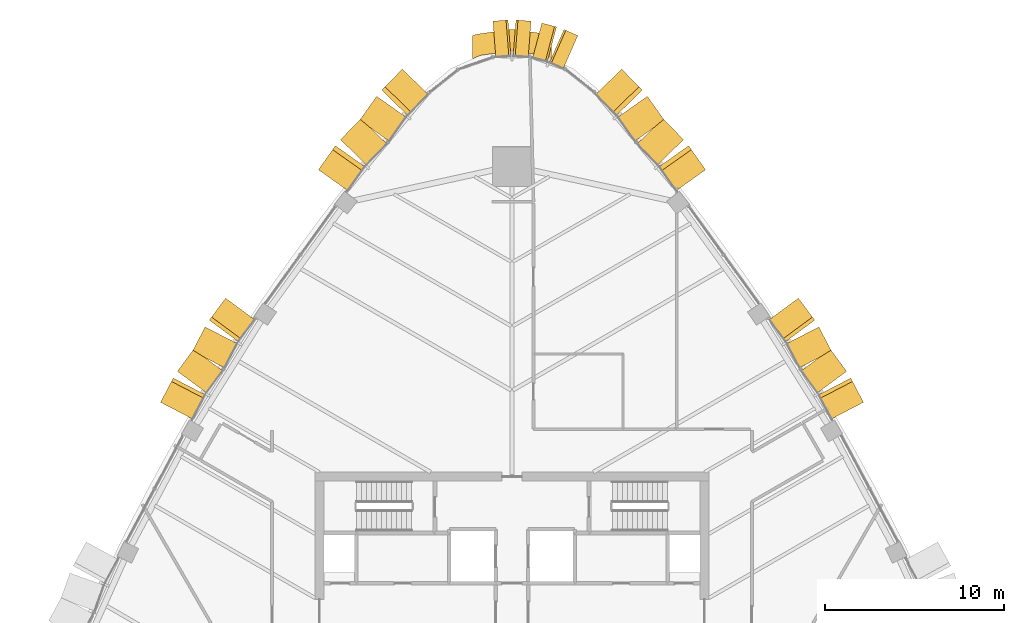
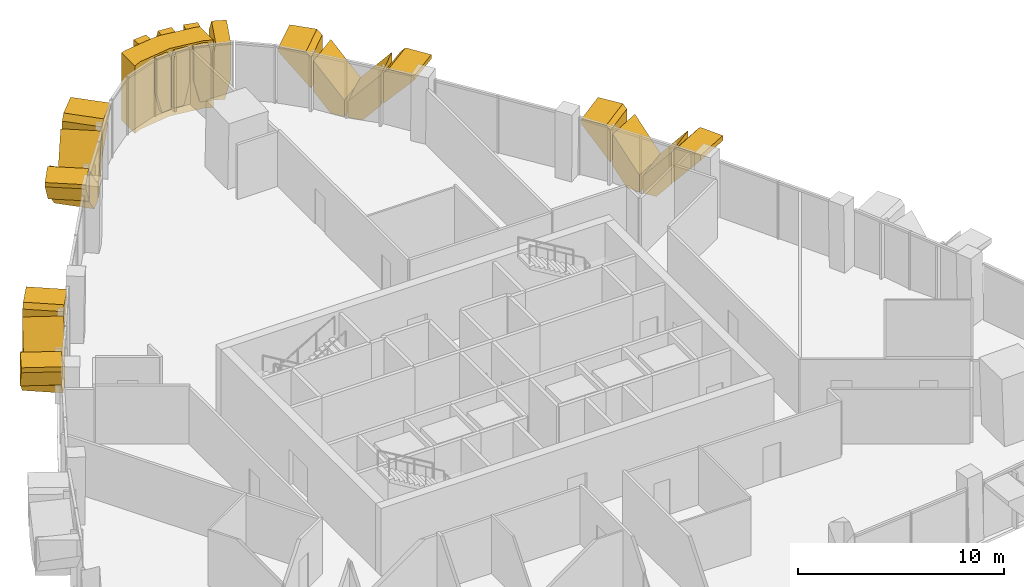
# One storey, part 17 of 18: 21 coverings.
"""IFC4 building model written with IfcOpenShell, lengths in metres."""

from ifc_helpers import new_model, si_unit, direction, frame, origin, place, context, subcontext, project, spatial, polyline, outline, extrude, material, layer, layer_set, type_object, element, save


model = new_model("IFC4")

# Units and contexts
model_context = context("Model", 3, precision=1e-05, world=origin(), true_north=direction((0.0, 1.0)))
body_context = subcontext(model_context, "Body", "Model", "MODEL_VIEW")
ifc_project = project(units=[si_unit("LENGTHUNIT", "METRE"), si_unit("AREAUNIT", "SQUARE_METRE"), si_unit("VOLUMEUNIT", "CUBIC_METRE"), si_unit("PLANEANGLEUNIT", "RADIAN"), si_unit("MASSUNIT", "GRAM", prefix="KILO")], contexts=[model_context])

# Site, building, storey
site_placement = place(None, origin())
site = spatial("IfcSite", under=ifc_project, at=site_placement, CompositionType="ELEMENT")
building_placement = place(site_placement, origin())
building = spatial("IfcBuilding", under=site, at=building_placement, Name="Sierra Prisma Convention Tower", CompositionType="ELEMENT")
storey_placement = place(building_placement, frame((0.0, 0.0, 251.0)))
storey = spatial("IfcBuildingStorey", under=building, at=storey_placement, Name="L56", CompositionType="ELEMENT", Elevation=251.0)

# Coverings
ifc_material_1 = material(Name="Aluminium composite bronze anodised", Category="aluminium")
ifc_layer_1 = layer(ifc_material_1, 1.199951171875)
ifc_layer_set_1 = layer_set([ifc_layer_1], Name="Bronze corner pier")
covering_type_1 = type_object("IfcCoveringType", Name="Bronze corner pier", PredefinedType="CLADDING", material=ifc_layer_set_1)
covering_1_placement = place(storey_placement, frame((0.0, 0.0, -0.60009765625)))
element("IfcCovering", 1, at=covering_1_placement, inside=storey, type_object=covering_type_1, Name="Corner pier N L56.1", PredefinedType="CLADDING", context=body_context, shape_type="SweptSolid", body=[
    extrude(outline(polyline([(-1.94873046875, 32.462158203125), (-0.16796875, 32.7138671875), (0.16796875, 32.7138671875), (1.94873046875, 32.462158203125), (2.199951171875, 32.389892578125), (2.199951171875, 31.086181640625), (1.78076171875, 31.27392578125), (0.0, 31.525634765625), (-1.78076171875, 31.27392578125), (-2.199951171875, 31.086181640625), (-2.199951171875, 32.389892578125), (-1.94873046875, 32.462158203125)])), origin(), (0.0, 0.0, 1.0), 4.0),
])
ifc_material_2 = material(Name="Aluminium 6063-T6 bronze anodised", Category="aluminium")
ifc_layer_2 = layer(ifc_material_2, 2.0)
ifc_layer_set_2 = layer_set([ifc_layer_2], Name="Bronze crystal chevron frame")
covering_type_2 = type_object("IfcCoveringType", Name="Bronze crystal chevron frame", PredefinedType="CLADDING", material=ifc_layer_set_2)
covering_2_placement = place(storey_placement, frame((19.62744140625, 11.898681640625, 3.280029296875), z_axis=(0.887324747705, 0.461145087809, -9.970349e-06), x_axis=(-8.846937e-06, -4.597777e-06, -0.99999999995)))
element("IfcCovering", 2, at=covering_2_placement, inside=storey, type_object=covering_type_2, Name="CW-2 chevron frame NE4.1.1", PredefinedType="CLADDING", context=body_context, shape_type="SweptSolid", body=[
    extrude(outline(polyline([(0.0, 0.0), (0.29418945311037764, 2.491881595315996e-22), (2.143066406169328, 1.5289674406498677), (0.2600097656379235, 1.5289674406498677), (-2.1643535514569113e-10, 1.3140686287231047), (0.0, 0.0)])), origin(), (0.0, 0.0, -1.0), 2.0),
])
covering_3_placement = place(storey_placement, frame((18.687744140625, 13.631591796875, 2.863037109375), z_axis=(0.804231335616, 0.594316376805, 5.5445642e-05), x_axis=(4.4591123e-05, 3.2952253e-05, -0.999999998463)))
element("IfcCovering", 3, at=covering_3_placement, inside=storey, type_object=covering_type_2, Name="CW-2 chevron frame NE4.1.2", PredefinedType="CLADDING", context=body_context, shape_type="SweptSolid", body=[
    extrude(outline(polyline([(0.0, 0.0), (1.8830566377305356, 0.0), (2.863037116893553, 0.8103734292619774), (2.863037107986873, 1.5290426761704847), (1.8488769532957483, 1.5290426761704847), (0.0, 0.0)])), origin(), (0.0, 0.0, -1.0), 2.0),
])
covering_4_placement = place(storey_placement, frame((17.844970703125, 14.755859375, 0.0), z_axis=(0.887332911213, 0.46112937855, 3.0266812e-05), x_axis=(-0.461129378761, 0.88733291162, -3.693e-09)))
element("IfcCovering", 4, at=covering_4_placement, inside=storey, type_object=covering_type_2, Name="CW-2 chevron frame NE4.2.1", PredefinedType="CLADDING", context=body_context, shape_type="SweptSolid", body=[
    extrude(outline(polyline([(0.0, 0.0), (0.718619661164388, 0.0), (1.5289674367449981, 0.9799804748458145), (1.5289674297902944, 2.863037114608299), (-3.745603449153797e-09, 1.0141601557854742), (0.0, 0.0)])), origin(), (0.0, 0.0, -1.0), 2.0),
])
covering_5_placement = place(storey_placement, frame((15.996826171875, 17.71826171875, 3.280029296875), z_axis=(0.80427133255, 0.594262251477, -1.0394383e-05), x_axis=(0.594262251509, -0.804271332594, 1.79e-10)))
element("IfcCovering", 5, at=covering_5_placement, inside=storey, type_object=covering_type_2, Name="CW-2 chevron frame NE4.2.2", PredefinedType="CLADDING", context=body_context, shape_type="SweptSolid", body=[
    extrude(outline(polyline([(0.0, 0.0), (1.313802980417413, 0.0), (1.5287012374546682, 0.2600097659127603), (1.5287012371175066, 2.1430664064360347), (-5.267466416672044e-11, 0.2941894531091074), (0.0, 0.0)])), origin(), (0.0, 0.0, -1.0), 2.0),
])
covering_6_placement = place(storey_placement, frame((10.813232421875, 24.886474609375, 3.280029296875), z_axis=(0.816196090768, 0.577774991575, -2.2937219e-05), x_axis=(-1.8721269e-05, -1.3252552e-05, -0.999999999737)))
element("IfcCovering", 6, at=covering_6_placement, inside=storey, type_object=covering_type_2, Name="CW-2 chevron frame NE6.1.1", PredefinedType="CLADDING", context=body_context, shape_type="SweptSolid", body=[
    extrude(outline(polyline([(0.0, 0.0), (0.2531738280584006, 0.0), (2.1120605464777795, 1.6445669863336019), (0.3010253907041871, 1.6445669863336019), (-1.0860134443838265e-09, 1.3780126072210508), (0.0, 0.0)])), origin(), (0.0, 0.0, -1.0), 2.0),
])
covering_7_placement = place(storey_placement, frame((9.579345703125, 26.5693359375, 2.83203125), z_axis=(0.71574312303, 0.698363645687, -1.480018e-05), x_axis=(-1.0593127e-05, -1.0335908e-05, -0.99999999989)))
element("IfcCovering", 7, at=covering_7_placement, inside=storey, type_object=covering_type_2, Name="CW-2 chevron frame NE6.1.2", PredefinedType="CLADDING", context=body_context, shape_type="SweptSolid", body=[
    extrude(outline(polyline([(0.0, 0.0), (1.8110351560516507, 1.5340064459795898e-21), (2.8320312505233347, 0.9036312396022581), (2.8320312499134728, 1.6448032941753963), (1.8588867187700544, 1.6448032941753963), (0.0, 0.0)])), origin(), (0.0, 0.0, -1.0), 2.0),
])
covering_8_placement = place(storey_placement, frame((8.08203125, 28.256103515625, 0.0), z_axis=(0.816179660534, 0.577798201285, 1.7960208e-05), x_axis=(-0.382968440768, 0.540945960973, 0.748807479051)))
element("IfcCovering", 8, at=covering_8_placement, inside=storey, type_object=covering_type_2, Name="CW-2 chevron frame NE6.2.1", PredefinedType="CLADDING", context=body_context, shape_type="SweptSolid", body=[
    extrude(outline(polyline([(0.0, 0.0), (1.3634961231185292, -1.1102230246251565e-16), (2.7196127929426823, 1.2003315849966343), (0.23744039919397203, 1.2000034772321233), (-0.4912575040035306, 0.5550153810071861), (0.0, 0.0)])), origin(), (0.0, 0.0, -1.0), 2.0),
])
covering_9_placement = place(storey_placement, frame((6.12744140625, 30.511474609375, 3.280029296875), z_axis=(0.715736225286, 0.698370715164, -3.770115e-06), x_axis=(0.698370715169, -0.715736225291, 2.1e-11)))
element("IfcCovering", 9, at=covering_9_placement, inside=storey, type_object=covering_type_2, Name="CW-2 chevron frame NE6.2.2", PredefinedType="CLADDING", context=body_context, shape_type="SweptSolid", body=[
    extrude(outline(polyline([(0.0, 0.0), (1.3784096231234853, 8.470329472543003e-22), (1.6448032942380097, 0.30102539066214984), (1.644803294199461, 2.112060546899279), (-5.3889406775384495e-12, 0.2531738281232007), (0.0, 0.0)])), origin(), (0.0, 0.0, -1.0), 2.0),
])
covering_10_placement = place(storey_placement, frame((3.676513671875, 32.380859375, 3.280029296875), z_axis=(0.403720348836, 0.914882440223, 2.2498191e-05), x_axis=(9.082977e-06, 2.05832e-05, -0.999999999747)))
element("IfcCovering", 10, at=covering_10_placement, inside=storey, type_object=covering_type_2, Name="CW-2 chevron frame N2.1.1", PredefinedType="CLADDING", context=body_context, shape_type="SweptSolid", body=[
    extrude(outline(polyline([(0.0, 0.0), (2.0771484369743063, -3.51882632580058e-21), (3.2800292988705286, 0.2911938356261742), (3.2800292965995395, 0.8435383986932616), (0.4621582035626981, 0.8435383986932616), (3.6011172263924064e-11, 0.731716131333817), (0.0, 0.0)])), origin(), (0.0, 0.0, -1.0), 2.0),
])
covering_11_placement = place(storey_placement, frame((1.9521484375, 33.009033203125, 0.0), z_axis=(0.255582989102, 0.966787120144, -2.462667e-06), x_axis=(-0.227456360408, 0.06013357937, 0.971929810605)))
element("IfcCovering", 11, at=covering_11_placement, inside=storey, type_object=covering_type_2, Name="CW-2 chevron frame N2.1.2", PredefinedType="CLADDING", context=body_context, shape_type="SweptSolid", body=[
    extrude(outline(polyline([(0.0, 0.0), (1.237621118678627, 0.0), (3.256463606135796, 0.4886927892042976), (3.0843436359454186, 1.1997389029752044), (2.6088402355738998, 1.1997292409616338), (-0.1299326828829223, 0.5367658919964243), (0.0, 0.0)])), origin(), (0.0, 0.0, -1.0), 2.0),
])
covering_12_placement = place(storey_placement, frame((1.062744140625, 33.186767578125, 3.280029296875), z_axis=(0.078451637479, 0.996917920495, -1.9289451e-05), x_axis=(-1.513289e-06, -1.9229999e-05, -0.999999999814)))
element("IfcCovering", 12, at=covering_12_placement, inside=storey, type_object=covering_type_2, Name="CW-2 chevron frame N3.1.1", PredefinedType="CLADDING", context=body_context, shape_type="SweptSolid", body=[
    extrude(outline(polyline([(0.0, 0.0), (2.0771484371135642, 0.0), (3.2800292989285236, 0.29116977782626996), (3.280029296741056, 0.8436627515884269), (0.4621582035152968, 0.8436627515884269), (6.488596068935343e-10, 0.7317448441907449), (0.0, 0.0)])), origin(), (0.0, 0.0, -1.0), 2.0),
])
covering_13_placement = place(storey_placement, frame((-0.2216796875, 33.2529296875, 0.0), z_axis=(-0.078451637479, 0.996917920495, -1.9289451e-05), x_axis=(-0.996917920681, -0.078451637494, -3.959e-09)))
element("IfcCovering", 13, at=covering_13_placement, inside=storey, type_object=covering_type_2, Name="CW-2 chevron frame N3.1.2", PredefinedType="CLADDING", context=body_context, shape_type="SweptSolid", body=[
    extrude(outline(polyline([(0.0, 0.0), (0.5524929737621569, 1.0587911840678754e-22), (0.8436627468258996, 1.2028808629677785), (0.8436627386019131, 3.280029300081343), (0.11191789441116823, 3.28002929653531), (-1.1156705689109318e-08, 2.81787109322576), (0.0, 0.0)])), origin(), (0.0, 0.0, -1.0), 2.0),
])
covering_14_placement = place(storey_placement, frame((-6.12744140625, 30.511474609375, 3.280029296875), z_axis=(-0.715736225286, 0.698370715164, -3.770115e-06), x_axis=(2.698408e-06, -2.632938e-06, -0.999999999993)))
element("IfcCovering", 14, at=covering_14_placement, inside=storey, type_object=covering_type_2, Name="CW-2 chevron frame NW1.1.1", PredefinedType="CLADDING", context=body_context, shape_type="SweptSolid", body=[
    extrude(outline(polyline([(0.0, 0.0), (0.2531738281232007, 5.361164345109311e-23), (2.1120605468642686, 1.6448032942444173), (0.30102539062713934, 1.6448032942444173), (-2.93401878995643e-11, 1.3784096231234853), (0.0, 0.0)])), origin(), (0.0, 0.0, -1.0), 2.0),
])
covering_15_placement = place(storey_placement, frame((-7.559814453125, 28.99365234375, 2.83203125), z_axis=(-0.816179660534, 0.577798201285, 1.7960208e-05), x_axis=(-1.4658756e-05, 1.0377376e-05, -0.999999999839)))
element("IfcCovering", 15, at=covering_15_placement, inside=storey, type_object=covering_type_2, Name="CW-2 chevron frame NW1.1.2", PredefinedType="CLADDING", context=body_context, shape_type="SweptSolid", body=[
    extrude(outline(polyline([(0.0, 0.0), (1.811035155957908, 0.0), (2.832031250770669, 0.9037082782271895), (2.832031249872579, 1.6449073124914895), (1.858886718779532, 1.6449073124914895), (0.0, 0.0)])), origin(), (0.0, 0.0, -1.0), 2.0),
])
covering_16_placement = place(storey_placement, frame((-8.9482421875, 27.216064453125, 0.0), z_axis=(-0.71574312303, 0.698363645687, -1.480018e-05), x_axis=(-0.462852548439, -0.474355226919, 0.748835520724)))
element("IfcCovering", 16, at=covering_16_placement, inside=storey, type_object=covering_type_2, Name="CW-2 chevron frame NW1.2.1", PredefinedType="CLADDING", context=body_context, shape_type="SweptSolid", body=[
    extrude(outline(polyline([(0.0, 0.0), (1.3634450638406908, 0.0), (2.71961251812083, 1.2002742071736576), (0.23750905146988344, 1.1999732266310588), (-0.49121614032853067, 0.5550159618974109), (0.0, 0.0)])), origin(), (0.0, 0.0, -1.0), 2.0),
])
covering_17_placement = place(storey_placement, frame((-10.813232421875, 24.886474609375, 3.280029296875), z_axis=(-0.816196090768, 0.577774991575, -2.2937219e-05), x_axis=(0.577774991727, 0.816196090983, 7.88e-10)))
element("IfcCovering", 17, at=covering_17_placement, inside=storey, type_object=covering_type_2, Name="CW-2 chevron frame NW1.2.2", PredefinedType="CLADDING", context=body_context, shape_type="SweptSolid", body=[
    extrude(outline(polyline([(0.0, 0.0), (1.3780126072210508, 5.082197683525802e-21), (1.6445669860963632, 0.30102539200027245), (1.644566984669084, 2.112060547773866), (-1.9952660780991153e-10, 0.25317382805840066), (0.0, 0.0)])), origin(), (0.0, 0.0, -1.0), 2.0),
])
covering_18_placement = place(storey_placement, frame((-15.996826171875, 17.718017578125, 3.280029296875), z_axis=(-0.804271333552, 0.594262250121, -1.0394234e-05), x_axis=(8.359784e-06, -6.176901e-06, -0.999999999946)))
element("IfcCovering", 18, at=covering_18_placement, inside=storey, type_object=covering_type_2, Name="CW-2 chevron frame NW3.1.1", PredefinedType="CLADDING", context=body_context, shape_type="SweptSolid", body=[
    extrude(outline(polyline([(0.0, 0.0), (0.2941894531091079, 2.491881595315996e-22), (2.143066406162297, 1.5287012375012277), (0.25976562501403255, 1.5287012375012277), (-2.3525626511581075e-10, 1.3138029804173748), (0.0, 0.0)])), origin(), (0.0, 0.0, -1.0), 2.0),
])
covering_19_placement = place(storey_placement, frame((-17.14013671875, 16.1123046875, 2.863037109375), z_axis=(-0.887350084218, 0.461096332365, -1.7824442e-05), x_axis=(1.581652e-05, -8.218785e-06, -0.999999999841)))
element("IfcCovering", 19, at=covering_19_placement, inside=storey, type_object=covering_type_2, Name="CW-2 chevron frame NW3.1.2", PredefinedType="CLADDING", context=body_context, shape_type="SweptSolid", body=[
    extrude(outline(polyline([(0.0, 0.0), (1.8833007809508275, 1.5952178113085139e-21), (2.8630371101520184, 0.8102352019208725), (2.863037109231464, 1.52863822764845), (1.8488769531425688, 1.52863822764845), (0.0, 0.0)])), origin(), (0.0, 0.0, -1.0), 2.0),
])
covering_20_placement = place(storey_placement, frame((-17.779296875, 14.861083984375, 0.0), z_axis=(-0.804270804446, 0.594262966286, 4.145246e-06), x_axis=(-0.594262966291, -0.804270804453, -6.9e-11)))
element("IfcCovering", 20, at=covering_20_placement, inside=storey, type_object=covering_type_2, Name="CW-2 chevron frame NW3.2.1", PredefinedType="CLADDING", context=body_context, shape_type="SweptSolid", body=[
    extrude(outline(polyline([(0.0, 0.0), (0.7185241509234721, -2.117582368135751e-22), (1.5287012374303304, 0.9797363282393426), (1.5287012372998345, 2.863037109473162), (-7.027216733254003e-11, 1.0141601562412867), (0.0, 0.0)])), origin(), (0.0, 0.0, -1.0), 2.0),
])
covering_21_placement = place(storey_placement, frame((-19.62744140625, 11.898681640625, 3.280029296875), z_axis=(-0.88732474696, 0.461145089243, -9.970206e-06), x_axis=(0.461145089266, 0.887324747004, 1.65e-10)))
element("IfcCovering", 21, at=covering_21_placement, inside=storey, type_object=covering_type_2, Name="CW-2 chevron frame NW3.2.2", PredefinedType="CLADDING", context=body_context, shape_type="SweptSolid", body=[
    extrude(outline(polyline([(0.0, 0.0), (1.3140686287230696, -1.6940658945086007e-21), (1.5289674406070832, 0.2597656252647626), (1.5289674402968658, 2.1430664064211578), (-4.845889843722169e-11, 0.2941894531103781), (0.0, 0.0)])), origin(), (0.0, 0.0, -1.0), 2.0),
])

save(model, "model.ifc")
